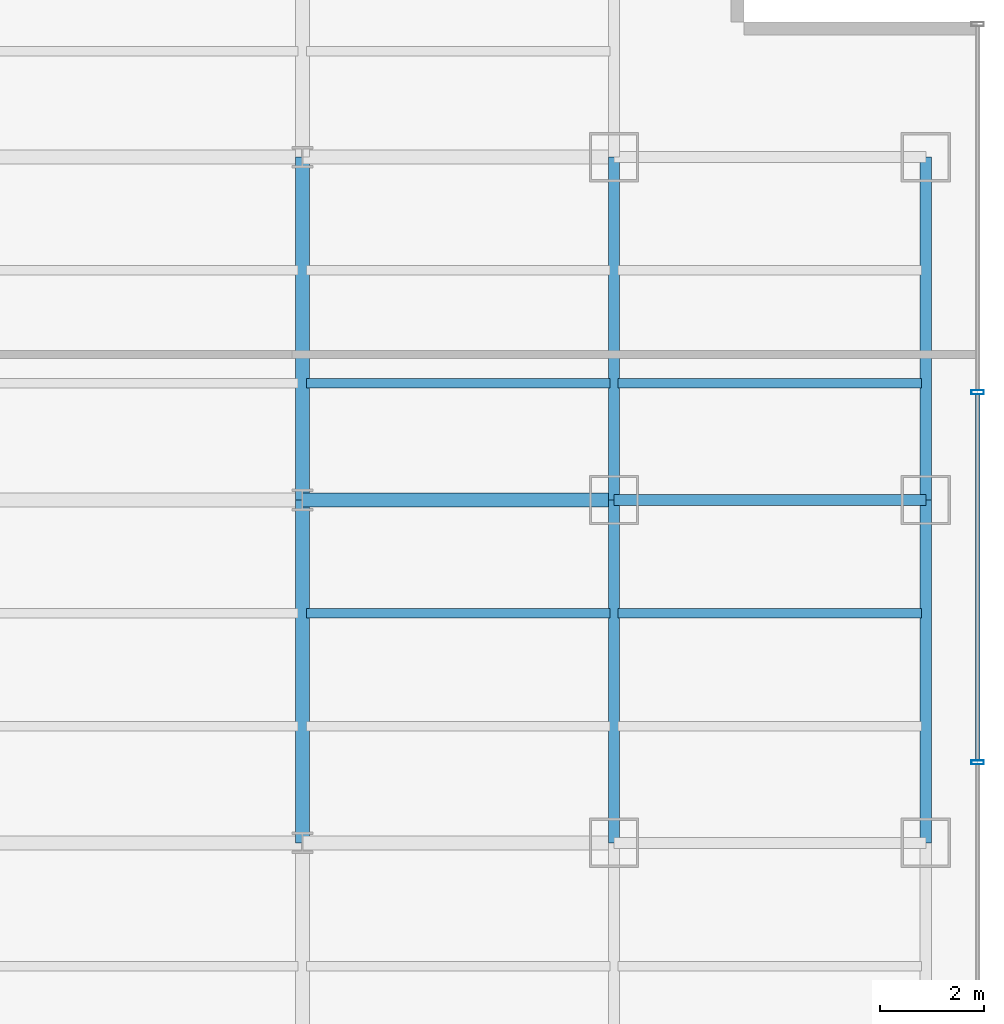
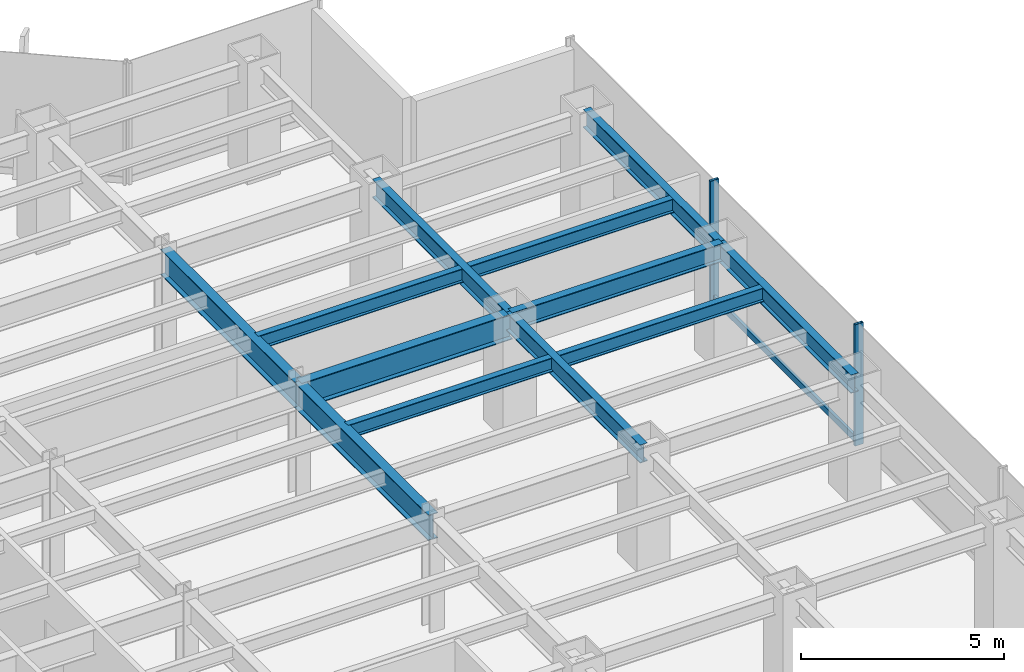
# One storey, part 9 of 23: 12 beams, 3 members, 1 element without a shape of its own.
"""IFC4 building model written with IfcOpenShell, lengths in metres."""

import ifcopenshell
import ifcopenshell.guid

model = None  # the IFC model being written
_history = None  # IfcOwnerHistory: only IFC2X3 demands one
_inside = {}  # id of a spatial element -> (the spatial element, [elements in it])
_under = {}  # id of a project, library or spatial element -> (it, [spatial elements below it])
_declared = {}  # id of a project -> (the project, [libraries it declares])
_typed = {}  # id of a type object -> (the type object, [elements of that type])
_made_of = {}  # id of a material, layer set ... -> (it, [elements and type objects made of it])


def new_model(schema):
    """Start an empty IFC model of exactly this schema.

    Asked for "IFC4X3", IfcOpenShell would pick the latest addendum, in which some entities
    have other attributes; the version numbers below select the first issue.
    IFC2X3 requires an IfcOwnerHistory on every rooted entity: one is made here for all.
    """
    global model, _history
    if schema == "IFC4X3":
        model = ifcopenshell.file(schema_version=(4, 3, 0, 0))
    else:
        model = ifcopenshell.file(schema=schema)
    _inside.clear()
    _under.clear()
    _declared.clear()
    _typed.clear()
    _made_of.clear()
    _history = None
    if model.schema == "IFC2X3":
        org = make("IfcOrganization", Name="unknown")
        user = make(
            "IfcPersonAndOrganization",
            ThePerson=make("IfcPerson", FamilyName="unknown"),
            TheOrganization=org,
        )
        app = make(
            "IfcApplication",
            ApplicationDeveloper=org,
            Version="unknown",
            ApplicationFullName="unknown",
            ApplicationIdentifier="unknown",
        )
        _history = make(
            "IfcOwnerHistory",
            OwningUser=user,
            OwningApplication=app,
            ChangeAction="ADDED",
            CreationDate=0,
        )
    return model


def make(cls, **values):
    """One entity of the class cls with the attributes given. An attribute that is None is left unset."""
    return model.create_entity(
        cls, **{name: value for name, value in values.items() if value is not None}
    )


def rooted(cls, **values):
    """An entity with a GlobalId (a new one), such as an element, a storey or a relation."""
    return make(cls, GlobalId=ifcopenshell.guid.new(), OwnerHistory=_history, **values)


def si_unit(unit_type, name, prefix=None):
    """IfcSIUnit, for example si_unit("LENGTHUNIT", "METRE", prefix="MILLI")."""
    return make("IfcSIUnit", UnitType=unit_type, Prefix=prefix, Name=name)


def derived_unit(unit_type, elements):
    """IfcDerivedUnit: a product of units, each with its exponent."""
    return make(
        "IfcDerivedUnit",
        Elements=[
            make("IfcDerivedUnitElement", Unit=unit, Exponent=power)
            for unit, power in elements
        ],
        UnitType=unit_type,
    )


def assignment(units):
    """IfcUnitAssignment: the units of a project."""
    return None if units is None else make("IfcUnitAssignment", Units=units)


def point(xyz):
    """IfcCartesianPoint."""
    return None if xyz is None else make("IfcCartesianPoint", Coordinates=xyz)


def direction(xyz):
    """IfcDirection."""
    return None if xyz is None else make("IfcDirection", DirectionRatios=xyz)


def frame(location, z_axis=None, x_axis=None):
    """IfcAxis2Placement3D, a coordinate frame: its origin and axes. An axis left out is left unset."""
    return make(
        "IfcAxis2Placement3D",
        Location=point(location),
        Axis=direction(z_axis),
        RefDirection=direction(x_axis),
    )


def frame_2d(location, x_axis=None):
    """IfcAxis2Placement2D, a coordinate frame in the plane: its origin and x axis."""
    return make(
        "IfcAxis2Placement2D", Location=point(location), RefDirection=direction(x_axis)
    )


def origin():
    """The frame at (0, 0, 0) with its axes left unset."""
    return frame((0.0, 0.0, 0.0))


def origin_2d():
    """The frame at (0, 0) in the plane with its x axis left unset."""
    return frame_2d((0.0, 0.0))


def place(relative_to, where):
    """IfcLocalPlacement: puts the frame where relative to a parent placement (None: the world)."""
    return make(
        "IfcLocalPlacement", PlacementRelTo=relative_to, RelativePlacement=where
    )


def context(
    kind, dimensions, precision=None, world=None, true_north=None, identifier=None
):
    """IfcGeometricRepresentationContext, for example the 3D "Model" context."""
    return make(
        "IfcGeometricRepresentationContext",
        ContextIdentifier=identifier,
        ContextType=kind,
        CoordinateSpaceDimension=dimensions,
        Precision=precision,
        WorldCoordinateSystem=world,
        TrueNorth=true_north,
    )


def subcontext(parent, identifier, kind, view, scale=None):
    """IfcGeometricRepresentationSubContext, for example "Body" below "Model"."""
    return make(
        "IfcGeometricRepresentationSubContext",
        ContextIdentifier=identifier,
        ContextType=kind,
        ParentContext=parent,
        TargetScale=scale,
        TargetView=view,
    )


def project(units=None, contexts=None):
    """IfcProject with its units and contexts."""
    return rooted(
        "IfcProject",
        Name="project",
        RepresentationContexts=contexts,
        UnitsInContext=assignment(units),
    )


def spatial(cls, under=None, at=None, **own):
    """A site, building, storey or space (cls), placed at a placement, below another one or the project."""
    s = rooted(cls, ObjectPlacement=at, **own)
    if under is not None:
        _under.setdefault(under.id(), (under, []))[1].append(s)
    return s


def profile(cls, at=None, kind="AREA", **sizes):
    """A parametric profile (cls). Its sizes go by their IFC names, for example OverallWidth=200.0."""
    return make(cls, ProfileType=kind, Position=at, **sizes)


def hollow_rectangle(**sizes):
    """IfcRectangleHollowProfileDef."""
    return profile("IfcRectangleHollowProfileDef", **sizes)


def i_section(**sizes):
    """IfcIShapeProfileDef."""
    return profile("IfcIShapeProfileDef", **sizes)


def extrude(swept, where, along, depth):
    """IfcExtrudedAreaSolid: the profile swept, set in the frame where, extruded along a direction by depth."""
    return make(
        "IfcExtrudedAreaSolid",
        SweptArea=swept,
        Position=where,
        ExtrudedDirection=direction(along),
        Depth=depth,
    )


def shape(context_of_items, identifier, shape_type, items):
    """IfcShapeRepresentation: the items that make up one representation, for example the "Body"."""
    return make(
        "IfcShapeRepresentation",
        ContextOfItems=context_of_items,
        RepresentationIdentifier=identifier,
        RepresentationType=shape_type,
        Items=items,
    )


def source(mapping_origin, context_of_items, identifier, shape_type, items):
    """IfcRepresentationMap: a shape defined once, which mapped items show again and again."""
    return make(
        "IfcRepresentationMap",
        MappingOrigin=mapping_origin,
        MappedRepresentation=shape(context_of_items, identifier, shape_type, items),
    )


def transform(
    local_origin,
    x_axis=None,
    y_axis=None,
    z_axis=None,
    scale=None,
    scale2=None,
    scale3=None,
    uniform=True,
):
    """IfcCartesianTransformationOperator3D, or its non-uniform kind. x_axis, y_axis, z_axis: its Axis1, 2, 3."""
    if uniform:
        return make(
            "IfcCartesianTransformationOperator3D",
            Axis1=direction(x_axis),
            Axis2=direction(y_axis),
            LocalOrigin=point(local_origin),
            Scale=scale,
            Axis3=direction(z_axis),
        )
    return make(
        "IfcCartesianTransformationOperator3DnonUniform",
        Axis1=direction(x_axis),
        Axis2=direction(y_axis),
        LocalOrigin=point(local_origin),
        Scale=scale,
        Axis3=direction(z_axis),
        Scale2=scale2,
        Scale3=scale3,
    )


def mapped(mapping_source, mapping_target):
    """IfcMappedItem: shows the shape of a source again, moved by a transform."""
    return make(
        "IfcMappedItem", MappingSource=mapping_source, MappingTarget=mapping_target
    )


def material(Name=None, Category=None):
    """IfcMaterial."""
    return make("IfcMaterial", Name=Name, Category=Category)


def material_profile(
    of_material, cross_section, Name=None, Category=None, Priority=None
):
    """IfcMaterialProfile: a cross section and its material."""
    return make(
        "IfcMaterialProfile",
        Name=Name,
        Material=of_material,
        Profile=cross_section,
        Priority=Priority,
        Category=Category,
    )


def profile_set(profiles, Name=None, composite=None):
    """IfcMaterialProfileSet."""
    return make(
        "IfcMaterialProfileSet",
        Name=Name,
        MaterialProfiles=profiles,
        CompositeProfile=composite,
    )


def made_of(thing, what):
    """Note that an element or type object is made of a material, layer set ...; save() writes the relation."""
    if what is not None:
        _made_of.setdefault(what.id(), (what, []))[1].append(thing)
    return thing


def type_object(cls, material=None, **own):
    """A type object (cls), such as IfcWallType, which elements share."""
    return made_of(rooted(cls, **own), material)


def element(
    cls,
    number,
    at=None,
    inside=None,
    cuts=None,
    type_object=None,
    material=None,
    context=None,
    identifier="Body",
    shape_type=None,
    held_by="IfcProductDefinitionShape",
    body=None,
    shapes=None,
    **own,
):
    """One element of the class cls, such as IfcWall. Its Tag is "e" and its number.

    at: its placement. inside: the storey or other place that contains it. cuts: it is an
    opening in that element (IfcRelVoidsElement). A single representation is given by context,
    identifier, shape_type and body (its items); several are given by shapes. held_by: the class
    of the entity that holds the representations. save() writes the other relations.
    """
    e = rooted(cls, Tag="e%d" % number, ObjectPlacement=at, **own)
    if body is not None:
        shapes = [shape(context, identifier, shape_type, body)]
    if shapes is not None:
        e.Representation = make(held_by, Representations=shapes)
    if inside is not None:
        _inside.setdefault(inside.id(), (inside, []))[1].append(e)
    if cuts is not None:
        rooted(
            "IfcRelVoidsElement", RelatingBuildingElement=cuts, RelatedOpeningElement=e
        )
    if type_object is not None:
        _typed.setdefault(type_object.id(), (type_object, []))[1].append(e)
    return made_of(e, material)


def aggregate(whole, parts):
    """IfcRelAggregates: a whole, such as a stair, and the parts it consists of."""
    return rooted("IfcRelAggregates", RelatingObject=whole, RelatedObjects=parts)


def save(model, path):
    """Write the relations noted so far, then the file.

    IfcRelAggregates (storeys below a building ...), IfcRelContainedInSpatialStructure (elements
    in a storey), IfcRelDefinesByType, IfcRelAssociatesMaterial and IfcRelDeclares: one each for
    every whole, place, type object, material and project.
    """
    for whole, parts in _under.values():
        aggregate(whole, parts)
    for where, things in _inside.values():
        rooted(
            "IfcRelContainedInSpatialStructure",
            RelatedElements=things,
            RelatingStructure=where,
        )
    for kind, things in _typed.values():
        rooted("IfcRelDefinesByType", RelatedObjects=things, RelatingType=kind)
    for what, things in _made_of.values():
        rooted("IfcRelAssociatesMaterial", RelatedObjects=things, RelatingMaterial=what)
    for by, libraries in _declared.values():
        rooted("IfcRelDeclares", RelatingContext=by, RelatedDefinitions=libraries)
    model.write(path)


model = new_model("IFC4")

# Units and contexts
model_context = context("Model", 3, precision=1e-05, world=origin(), true_north=direction((0.0, 1.0)))
body_context = subcontext(model_context, "Body", "Model", "MODEL_VIEW")
ifc_project = project(units=[si_unit("LENGTHUNIT", "METRE"), si_unit("AREAUNIT", "SQUARE_METRE"), si_unit("VOLUMEUNIT", "CUBIC_METRE"), si_unit("PLANEANGLEUNIT", "RADIAN"), si_unit("MASSUNIT", "GRAM", prefix="KILO"), derived_unit("THERMALTRANSMITTANCEUNIT", [(si_unit("POWERUNIT", "WATT"), 1), (si_unit("LENGTHUNIT", "METRE"), -2), (si_unit("THERMODYNAMICTEMPERATUREUNIT", "KELVIN"), -1)])], contexts=[model_context])

# Site, building, storey
site_placement = place(None, origin())
site = spatial("IfcSite", under=ifc_project, at=site_placement, CompositionType="ELEMENT")
building_placement = place(site_placement, origin())
building = spatial("IfcBuilding", under=site, at=building_placement, Name="Skarnbrae Concourse Arena and Tower", CompositionType="ELEMENT")
storey_placement = place(building_placement, frame((0.0, 0.0, 47.10009765625)))
storey = spatial("IfcBuildingStorey", under=building, at=storey_placement, Name="L10", CompositionType="ELEMENT", Elevation=47.10009765625)

# Beams
ifc_material_1 = material(Name="Steel CSA G40.21 350W", Category="steel")
ifc_material_profile_1 = material_profile(ifc_material_1, i_section(OverallWidth=0.214111328125, OverallDepth=0.549072265625, WebThickness=0.0146484375, FlangeThickness=0.023681640625, at=origin_2d()), Name="W530X138")
ifc_profile_set_1 = profile_set([ifc_material_profile_1], Name="Steel CSA G40.21 350W")
beam_type_1 = type_object("IfcBeamType", Name="BM-SPAN-W530X138", PredefinedType="SPANDREL", material=ifc_profile_set_1)
shared_shape_1 = source(origin(), body_context, "Body", "SweptSolid", [
    extrude(i_section(OverallWidth=0.214111328125, OverallDepth=0.549072265625, WebThickness=0.0146484375, FlangeThickness=0.023681640625, at=origin_2d()), origin(), (0.0, 0.0, 1.0), 6.0),
])
beam_1_placement = place(storey_placement, frame((55.0, 27.800048828125, 3.12548828125), z_axis=(1.0, 0.0, 0.0), x_axis=(0.0, 1.0, 0.0)))
element("IfcBeam", 1, at=beam_1_placement, inside=storey, type_object=beam_type_1, Name="L10 Perimeter spandrel Y27.8-9", PredefinedType="SPANDREL", context=body_context, shape_type="MappedRepresentation", body=[
    mapped(shared_shape_1, transform((0.0, 0.0, 0.0))),
])
ifc_material_profile_2 = material_profile(ifc_material_1, i_section(OverallWidth=0.26806640625, OverallDepth=0.77001953125, WebThickness=0.015625, FlangeThickness=0.025390625, at=origin_2d()), Name="W760X196")
ifc_profile_set_2 = profile_set([ifc_material_profile_2], Name="Steel CSA G40.21 350W")
beam_type_2 = type_object("IfcBeamType", Name="BM-GIRD-W760X196", PredefinedType="BEAM", material=ifc_profile_set_2)
shared_shape_2 = source(origin(), body_context, "Body", "SweptSolid", [
    extrude(i_section(OverallWidth=0.26806640625, OverallDepth=0.77001953125, WebThickness=0.015625, FlangeThickness=0.025390625, at=origin_2d()), origin(), (0.0, 0.0, 1.0), 6.60009765625),
])
beam_2_placement = place(storey_placement, frame((49.0, 21.199951171875, 3.014892578125), z_axis=(0.0, 1.0, 0.0), x_axis=(-1.0, 0.0, 0.0)))
element("IfcBeam", 2, at=beam_2_placement, inside=storey, type_object=beam_type_2, Name="L10 Primary N-S girder X49.0-3", PredefinedType="BEAM", context=body_context, shape_type="MappedRepresentation", body=[
    mapped(shared_shape_2, transform((0.0, 0.0, 0.0))),
])
shared_shape_3 = source(origin(), body_context, "Body", "SweptSolid", [
    extrude(i_section(OverallWidth=0.26806640625, OverallDepth=0.77001953125, WebThickness=0.015625, FlangeThickness=0.025390625, at=origin_2d()), origin(), (0.0, 0.0, 1.0), 6.0),
])
beam_3_placement = place(storey_placement, frame((49.0, 27.800048828125, 3.014892578125), z_axis=(1.0, 0.0, 0.0), x_axis=(0.0, 1.0, 0.0)))
element("IfcBeam", 3, at=beam_3_placement, inside=storey, type_object=beam_type_2, Name="L10 Primary E-W girder Y27.8-8", PredefinedType="BEAM", context=body_context, shape_type="MappedRepresentation", body=[
    mapped(shared_shape_3, transform((0.0, 0.0, 0.0))),
])
shared_shape_4 = source(origin(), body_context, "Body", "SweptSolid", [
    extrude(i_section(OverallWidth=0.214111328125, OverallDepth=0.549072265625, WebThickness=0.0146484375, FlangeThickness=0.023681640625, at=origin_2d()), origin(), (0.0, 0.0, 1.0), 6.60009765625),
])
for number, where, z_axis, x_axis, name in (
    (4, (55.0, 21.199951171875, 3.12548828125), (0.0, 1.0, 0.0), (-1.0, 0.0, 0.0), "L10 Perimeter spandrel X55.0-3"),
    (5, (61.0, 21.199951171875, 3.12548828125), (0.0, 1.0, 0.0), (-1.0, 0.0, 0.0), "L10 Perimeter spandrel X61.0-3"),
):
    element("IfcBeam", number, at=place(storey_placement, frame(where, z_axis=z_axis, x_axis=x_axis)), inside=storey, type_object=beam_type_1, Name=name, PredefinedType="SPANDREL", context=body_context, shape_type="MappedRepresentation", body=[
        mapped(shared_shape_4, transform((0.0, 0.0, 0.0))),
    ])
shared_shape_5 = source(origin(), body_context, "Body", "SweptSolid", [
    extrude(i_section(OverallWidth=0.214111328125, OverallDepth=0.549072265625, WebThickness=0.0146484375, FlangeThickness=0.023681640625, at=origin_2d()), origin(), (0.0, 0.0, 1.0), 6.599853515625),
])
for number, where, z_axis, x_axis, name in (
    (6, (55.0, 27.800048828125, 3.12548828125), (0.0, 1.0, 0.0), (-1.0, 0.0, 0.0), "L10 Perimeter spandrel X55.0-4"),
    (7, (61.0, 27.800048828125, 3.12548828125), (0.0, 1.0, 0.0), (-1.0, 0.0, 0.0), "L10 Perimeter spandrel X61.0-4"),
):
    element("IfcBeam", number, at=place(storey_placement, frame(where, z_axis=z_axis, x_axis=x_axis)), inside=storey, type_object=beam_type_1, Name=name, PredefinedType="SPANDREL", context=body_context, shape_type="MappedRepresentation", body=[
        mapped(shared_shape_5, transform((0.0, 0.0, 0.0))),
    ])
shared_shape_6 = source(origin(), body_context, "Body", "SweptSolid", [
    extrude(i_section(OverallWidth=0.26806640625, OverallDepth=0.77001953125, WebThickness=0.015625, FlangeThickness=0.025390625, at=origin_2d()), origin(), (0.0, 0.0, 1.0), 6.599853515625),
])
beam_4_placement = place(storey_placement, frame((49.0, 27.800048828125, 3.014892578125), z_axis=(0.0, 1.0, 0.0), x_axis=(-1.0, 0.0, 0.0)))
element("IfcBeam", 8, at=beam_4_placement, inside=storey, type_object=beam_type_2, Name="L10 Primary N-S girder X49.0-4", PredefinedType="BEAM", context=body_context, shape_type="MappedRepresentation", body=[
    mapped(shared_shape_6, transform((0.0, 0.0, 0.0))),
])
ifc_material_profile_3 = material_profile(ifc_material_1, i_section(OverallWidth=0.180908203125, OverallDepth=0.4169921875, WebThickness=0.010986328125, FlangeThickness=0.018310546875, at=origin_2d()), Name="W410X85")
ifc_profile_set_3 = profile_set([ifc_material_profile_3], Name="Steel CSA G40.21 350W")
beam_type_3 = type_object("IfcBeamType", Name="BM-JOIST-W410X85", PredefinedType="JOIST", material=ifc_profile_set_3)
shared_shape_7 = source(origin(), body_context, "Body", "SweptSolid", [
    extrude(i_section(OverallWidth=0.180908203125, OverallDepth=0.4169921875, WebThickness=0.010986328125, FlangeThickness=0.018310546875, at=origin_2d()), origin(), (0.0, 0.0, 1.0), 5.83984375),
])
for number, where, z_axis, x_axis, name in (
    (9, (49.080078125, 25.6220703125, 3.19140625), (1.0, 0.0, 0.0), (0.0, 1.0, 0.0), "L10 Secondary floor joist 2.2.8"),
    (10, (55.080078125, 25.6220703125, 3.19140625), (1.0, 0.0, 0.0), (0.0, 1.0, 0.0), "L10 Secondary floor joist 2.2.9"),
    (11, (49.080078125, 30.0439453125, 3.19140625), (1.0, 0.0, 0.0), (0.0, 1.0, 0.0), "L10 Secondary floor joist 3.1.8"),
    (12, (55.080078125, 30.0439453125, 3.19140625), (1.0, 0.0, 0.0), (0.0, 1.0, 0.0), "L10 Secondary floor joist 3.1.9"),
):
    element("IfcBeam", number, at=place(storey_placement, frame(where, z_axis=z_axis, x_axis=x_axis)), inside=storey, type_object=beam_type_3, Name=name, PredefinedType="JOIST", context=body_context, shape_type="MappedRepresentation", body=[
        mapped(shared_shape_7, transform((0.0, 0.0, 0.0))),
    ])

# Curtain wall, members
ifc_material_2 = material(Name="Bronze anodised aluminium 6063-T6", Category="aluminium")
curtain_wall_type = type_object("IfcCurtainWallType", Name="CW-SYS-02-LOWZONE", PredefinedType="USERDEFINED", material=ifc_material_2)
curtain_wall_placement = place(storey_placement, origin())
curtain_wall = element("IfcCurtainWall", 13, at=curtain_wall_placement, inside=storey, type_object=curtain_wall_type, Name="L10 Unitised curtain wall CW-L10-E04", ObjectType="UNITISED CURTAIN WALL", PredefinedType="USERDEFINED")
ifc_material_profile_4 = material_profile(ifc_material_2, hollow_rectangle(XDim=0.080078125, YDim=0.239990234375, WallThickness=0.0048828125, at=origin_2d()), Name="ALU-MULL-80X240")
ifc_profile_set_4 = profile_set([ifc_material_profile_4], Name="Bronze anodised aluminium 6063-T6")
member_type_1 = type_object("IfcMemberType", Name="CWM-CW-02", PredefinedType="MULLION", material=ifc_profile_set_4)
shared_shape_8 = source(origin(), body_context, "Body", "SweptSolid", [
    extrude(hollow_rectangle(XDim=0.080078125, YDim=0.239990234375, WallThickness=0.0048828125, at=origin_2d()), origin(), (0.0, 0.0, 1.0), 3.64990234375),
])
member_1_placement = place(storey_placement, frame((62.0, 22.75, 0.0), z_axis=(0.0, 0.0, 1.0), x_axis=(0.0, 1.0, 0.0)))
member_1 = element("IfcMember", 14, at=member_1_placement, type_object=member_type_1, Name="CW-L10-E04 Mullion 3", PredefinedType="MULLION", context=body_context, shape_type="MappedRepresentation", body=[
    mapped(shared_shape_8, transform((0.0, 0.0, 0.0))),
])
member_2_placement = place(storey_placement, frame((62.0, 29.875, 0.0), z_axis=(0.0, 0.0, 1.0), x_axis=(0.0, 1.0, 0.0)))
member_2 = element("IfcMember", 15, at=member_2_placement, type_object=member_type_1, Name="CW-L10-E04 Mullion 4", PredefinedType="MULLION", context=body_context, shape_type="MappedRepresentation", body=[
    mapped(shared_shape_8, transform((0.0, 0.0, 0.0))),
])
ifc_material_profile_5 = material_profile(ifc_material_2, hollow_rectangle(XDim=0.080078125, YDim=0.18994140625, WallThickness=0.0048828125, at=origin_2d()), Name="ALU-TRAN-80X190")
ifc_profile_set_5 = profile_set([ifc_material_profile_5], Name="Bronze anodised aluminium 6063-T6")
member_type_2 = type_object("IfcMemberType", Name="CWT-CW-02", PredefinedType="USERDEFINED", material=ifc_profile_set_5)
shared_shape_9 = source(origin(), body_context, "Body", "SweptSolid", [
    extrude(hollow_rectangle(XDim=0.080078125, YDim=0.18994140625, WallThickness=0.0048828125, at=origin_2d()), origin(), (0.0, 0.0, 1.0), 7.044921875),
])
member_3_placement = place(storey_placement, frame((62.0, 22.7900390625, 0.094970703125), z_axis=(0.0, 1.0, 0.0), x_axis=(-1.0, 0.0, 0.0)))
member_3 = element("IfcMember", 16, at=member_3_placement, type_object=member_type_2, Name="CW-L10-E04 Transom 3", ObjectType="TRANSOM", PredefinedType="USERDEFINED", context=body_context, shape_type="MappedRepresentation", body=[
    mapped(shared_shape_9, transform((0.0, 0.0, 0.0))),
])
aggregate(curtain_wall, [member_1, member_2, member_3])

save(model, "model.ifc")
